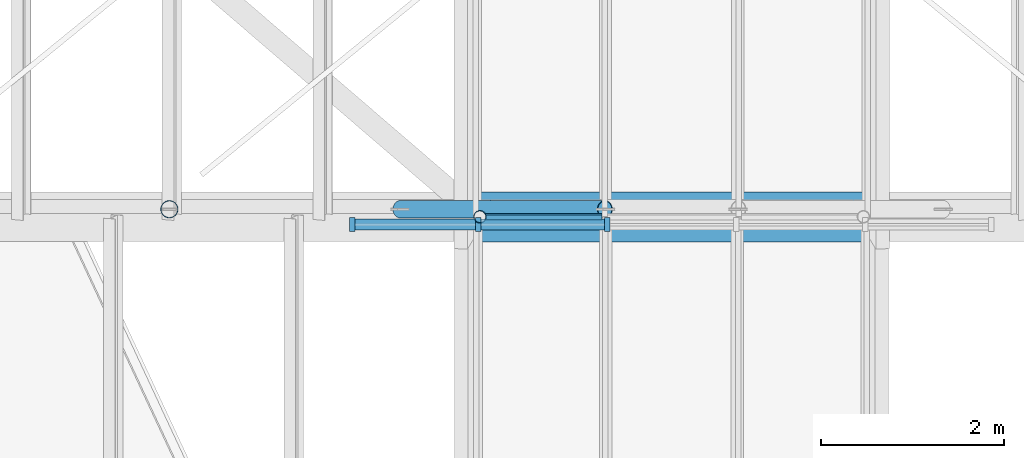
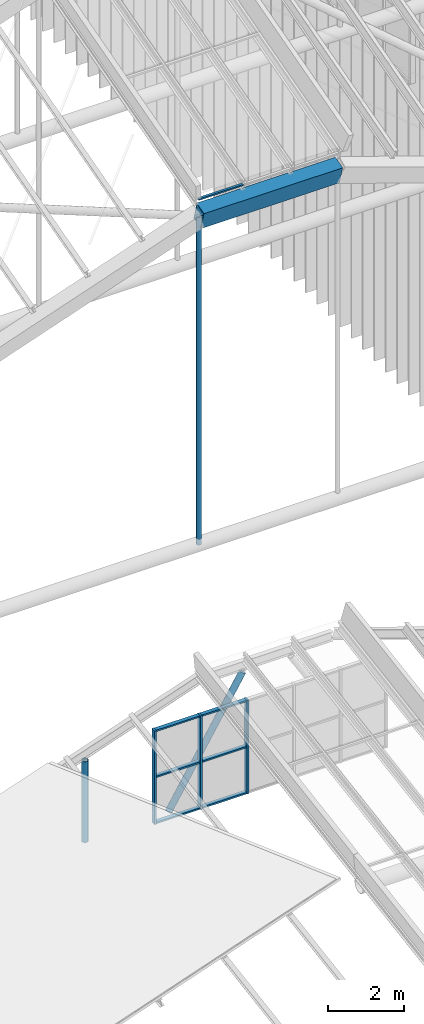
# One storey, part 17 of 126: 13 members, 1 beam, 1 element without a shape of its own.
"""IFC4 building model written with IfcOpenShell, lengths in metres."""

from ifc_helpers import new_model, si_unit, direction, frame, origin, origin_2d, place, context, subcontext, project, spatial, polyline, rectangle, hollow_circle, outline, extrude, material, material_profile, profile_set, type_object, element, aggregate, save


model = new_model("IFC4")

# Units and contexts
model_context = context("Model", 3, precision=1e-05, world=origin(), true_north=direction((0.0, 1.0)))
body_context = subcontext(model_context, "Body", "Model", "MODEL_VIEW")
ifc_project = project(units=[si_unit("LENGTHUNIT", "METRE"), si_unit("AREAUNIT", "SQUARE_METRE"), si_unit("VOLUMEUNIT", "CUBIC_METRE"), si_unit("PLANEANGLEUNIT", "RADIAN"), si_unit("MASSUNIT", "GRAM", prefix="KILO")], contexts=[model_context])

# Site, building, storey
site_placement = place(None, origin())
site = spatial("IfcSite", under=ifc_project, at=site_placement, CompositionType="ELEMENT")
building_placement = place(site_placement, origin())
building = spatial("IfcBuilding", under=site, at=building_placement, Name="Sava Quay Ferry Terminal", CompositionType="ELEMENT")
storey_placement = place(building_placement, frame((0.0, 0.0, 15.0)))
storey = spatial("IfcBuildingStorey", under=building, at=storey_placement, Name="L03", CompositionType="ELEMENT", Elevation=15.0)

# Beam
ifc_material_1 = material(Name="Steel S355", Category="steel")
ifc_material_profile_1 = material_profile(ifc_material_1, outline(polyline([(-0.199951171875, -0.300048828125), (0.199951171875, -0.300048828125), (0.199951171875, 0.300048828125), (-0.199951171875, 0.300048828125), (-0.199951171875, -0.300048828125)]), holes=[polyline([(-0.175048828125, -0.27490234375), (-0.175048828125, 0.27490234375), (0.175048828125, 0.27490234375), (0.175048828125, -0.27490234375), (-0.175048828125, -0.27490234375)])]), Name="Box 600x400x25 built-up")
ifc_profile_set_1 = profile_set([ifc_material_profile_1], Name="Steel S355")
beam_type = type_object("IfcBeamType", Name="D folded rib Box 600x400x25", PredefinedType="BEAM", material=ifc_profile_set_1)
beam_placement = place(storey_placement, frame((60.89990234375, 50.39990234375, 18.897216796875), z_axis=(1.0, 0.0, 0.0), x_axis=(0.0, 0.962815070048, 0.270161323822)))
element("IfcBeam", 1, at=beam_placement, inside=storey, type_object=beam_type, Name="Departure hall folded rib R0 seg 3", PredefinedType="BEAM", context=body_context, shape_type="SweptSolid", body=[
    extrude(outline(polyline([(-0.199951171875, -0.300048828125), (0.199951171875, -0.300048828125), (0.199951171875, 0.300048828125), (-0.199951171875, 0.300048828125), (-0.199951171875, -0.300048828125)]), holes=[polyline([(-0.175048828125, -0.27490234375), (-0.175048828125, 0.27490234375), (0.175048828125, 0.27490234375), (0.175048828125, -0.27490234375), (-0.175048828125, -0.27490234375)])]), origin(), (0.0, 0.0, 1.0), 4.2001953125),
])

# Members
ifc_material_2 = material(Name="Steel S355", Category="steel")
ifc_material_profile_2 = material_profile(ifc_material_2, hollow_circle(Radius=0.096923828125, WallThickness=0.008056640625, at=origin_2d()), Name="CHS 193.7 x 8.0")
ifc_profile_set_2 = profile_set([ifc_material_profile_2], Name="Steel S355")
member_type_1 = type_object("IfcMemberType", Name="Gable truss strut CHS 193.7x8", PredefinedType="USERDEFINED", material=ifc_profile_set_2)
member_1_placement = place(storey_placement, frame((60.030517578125, 50.482421875, 0.084716796875), z_axis=(0.518355579088, 0.0, 0.855165184996), x_axis=(0.0, 1.0, 0.0)))
element("IfcMember", 2, at=member_1_placement, inside=storey, type_object=member_type_1, Name="Arrivals hall gable truss strut", ObjectType="TRUSS STRUT", PredefinedType="USERDEFINED", context=body_context, shape_type="SweptSolid", body=[
    extrude(hollow_circle(Radius=0.096923828125, WallThickness=0.008056640625, at=origin_2d()), origin(), (0.0, 0.0, 1.0), 4.3193359375),
])
member_2_placement = place(storey_placement, frame((57.5, 50.482421875, 0.034423828125), z_axis=(0.0, 0.0, 1.0), x_axis=(1.0, 0.0, 0.0)))
element("IfcMember", 3, at=member_2_placement, inside=storey, type_object=member_type_1, Name="Arrivals hall gable truss post", ObjectType="TRUSS STRUT", PredefinedType="USERDEFINED", context=body_context, shape_type="SweptSolid", body=[
    extrude(hollow_circle(Radius=0.096923828125, WallThickness=0.008056640625, at=origin_2d()), origin(), (0.0, 0.0, 1.0), 2.59375),
])
ifc_material_3 = material(Name="Aluminium EN AW-6063 T6", Category="aluminium")
ifc_material_profile_3 = material_profile(ifc_material_3, rectangle(XDim=0.06005859375, YDim=0.06005859375, at=origin_2d()), Name="Bar 60 x 60")
ifc_profile_set_3 = profile_set([ifc_material_profile_3], Name="Aluminium EN AW-6063 T6")
member_type_2 = type_object("IfcMemberType", Name="Glazing bar 60x60", PredefinedType="USERDEFINED", material=ifc_profile_set_3)
member_3_placement = place(storey_placement, frame((60.880859375, 50.39990234375, 19.442138671875), z_axis=(1.0, 0.0, 0.0), x_axis=(0.0, 0.962815070048, 0.270161323822)))
element("IfcMember", 4, at=member_3_placement, inside=storey, type_object=member_type_2, Name="Departure hall glazing bar D-R0-GT2.0", ObjectType="GLAZING BAR", PredefinedType="USERDEFINED", context=body_context, shape_type="SweptSolid", body=[
    extrude(rectangle(XDim=0.06005859375, YDim=0.06005859375, at=origin_2d()), origin(), (0.0, 0.0, 1.0), 1.35595703125),
])

# Curtain wall, members
ifc_material_4 = material(Name="Aluminium and glass curtain wall, double low-e glazed", Category="aluminium")
curtain_wall_type = type_object("IfcCurtainWallType", Name="Curtain wall CW-G gable", PredefinedType="NOTDEFINED", material=ifc_material_4)
curtain_wall_placement = place(storey_placement, origin())
curtain_wall = element("IfcCurtainWall", 5, at=curtain_wall_placement, inside=storey, type_object=curtain_wall_type, Name="Curtain wall D-S L03 bay 31", PredefinedType="NOTDEFINED")
ifc_material_5 = material(Name="Aluminium EN AW-6063 T6", Category="aluminium")
ifc_material_profile_4 = material_profile(ifc_material_5, rectangle(XDim=0.14990234375, YDim=0.06005859375, at=origin_2d()), Name="Mullion 60x150 aluminium")
ifc_profile_set_4 = profile_set([ifc_material_profile_4], Name="Aluminium EN AW-6063 T6")
member_type_3 = type_object("IfcMemberType", Name="Mullion 60x150 aluminium", PredefinedType="MULLION", material=ifc_profile_set_4)
member_4_placement = place(storey_placement, frame((59.5, 50.31494140625, 0.0), z_axis=(0.0, 0.0, 1.0), x_axis=(0.0, 1.0, 0.0)))
member_4 = element("IfcMember", 6, at=member_4_placement, type_object=member_type_3, Name="CW92 mullion 1", PredefinedType="MULLION", context=body_context, shape_type="SweptSolid", body=[
    extrude(rectangle(XDim=0.14990234375, YDim=0.06005859375, at=origin_2d()), origin(), (0.0, 0.0, 1.0), 3.0),
])
member_5_placement = place(storey_placement, frame((60.882080078125, 50.31494140625, 0.0), z_axis=(0.0, 0.0, 1.0), x_axis=(0.0, 1.0, 0.0)))
member_5 = element("IfcMember", 7, at=member_5_placement, type_object=member_type_3, Name="CW92 mullion 2", PredefinedType="MULLION", context=body_context, shape_type="SweptSolid", body=[
    extrude(rectangle(XDim=0.14990234375, YDim=0.06005859375, at=origin_2d()), origin(), (0.0, 0.0, 1.0), 3.0),
])
member_6_placement = place(storey_placement, frame((62.2939453125, 50.31494140625, 0.0), z_axis=(0.0, 0.0, 1.0), x_axis=(0.0, 1.0, 0.0)))
member_6 = element("IfcMember", 8, at=member_6_placement, type_object=member_type_3, Name="CW92 mullion 3", PredefinedType="MULLION", context=body_context, shape_type="SweptSolid", body=[
    extrude(rectangle(XDim=0.14990234375, YDim=0.06005859375, at=origin_2d()), origin(), (0.0, 0.0, 1.0), 3.0),
])

# Member
ifc_material_6 = material(Name="Steel S355", Category="steel")
ifc_material_profile_5 = material_profile(ifc_material_6, hollow_circle(Radius=0.06982421875, WallThickness=0.008056640625, at=origin_2d()), Name="CHS 139.7 x 8.0")
ifc_profile_set_5 = profile_set([ifc_material_profile_5], Name="Steel S355")
member_type_4 = type_object("IfcMemberType", Name="Tie hanger CHS 139.7x8", PredefinedType="USERDEFINED", material=ifc_profile_set_5)
member_7_placement = place(storey_placement, frame((60.89990234375, 50.39990234375, 8.39990234375), z_axis=(0.0, 0.0, 1.0), x_axis=(1.0, 0.0, 0.0)))
element("IfcMember", 9, at=member_7_placement, inside=storey, type_object=member_type_4, Name="Departure hall tie hanger R0 V2", ObjectType="TIE HANGER", PredefinedType="USERDEFINED", context=body_context, shape_type="SweptSolid", body=[
    extrude(hollow_circle(Radius=0.06982421875, WallThickness=0.008056640625, at=origin_2d()), origin(), (0.0, 0.0, 1.0), 10.497314453125),
])

ifc_material_7 = material(Name="Aluminium EN AW-6063 T6", Category="aluminium")
ifc_material_profile_6 = material_profile(ifc_material_7, rectangle(XDim=0.1201171875, YDim=0.050048828125, at=origin_2d()), Name="Transom 50x120 aluminium")
ifc_profile_set_6 = profile_set([ifc_material_profile_6], Name="Aluminium EN AW-6063 T6")
member_type_5 = type_object("IfcMemberType", Name="Transom 50x120 aluminium", PredefinedType="USERDEFINED", material=ifc_profile_set_6)
member_8_placement = place(storey_placement, frame((59.530029296875, 50.31494140625, 0.02490234375), z_axis=(1.0, 0.0, 0.0), x_axis=(0.0, 1.0, 0.0)))
member_8 = element("IfcMember", 10, at=member_8_placement, type_object=member_type_5, Name="CW92 transom 1.1", ObjectType="TRANSOM", PredefinedType="USERDEFINED", context=body_context, shape_type="SweptSolid", body=[
    extrude(rectangle(XDim=0.1201171875, YDim=0.050048828125, at=origin_2d()), origin(), (0.0, 0.0, 1.0), 1.322021484375),
])

member_9_placement = place(storey_placement, frame((59.530029296875, 50.31494140625, 1.5), z_axis=(1.0, 0.0, 0.0), x_axis=(0.0, 1.0, 0.0)))
member_9 = element("IfcMember", 11, at=member_9_placement, type_object=member_type_5, Name="CW92 transom 1.2", ObjectType="TRANSOM", PredefinedType="USERDEFINED", context=body_context, shape_type="SweptSolid", body=[
    extrude(rectangle(XDim=0.1201171875, YDim=0.050048828125, at=origin_2d()), origin(), (0.0, 0.0, 1.0), 1.322021484375),
])

member_10_placement = place(storey_placement, frame((59.530029296875, 50.31494140625, 2.97509765625), z_axis=(1.0, 0.0, 0.0), x_axis=(0.0, 1.0, 0.0)))
member_10 = element("IfcMember", 12, at=member_10_placement, type_object=member_type_5, Name="CW92 transom 1.3", ObjectType="TRANSOM", PredefinedType="USERDEFINED", context=body_context, shape_type="SweptSolid", body=[
    extrude(rectangle(XDim=0.1201171875, YDim=0.050048828125, at=origin_2d()), origin(), (0.0, 0.0, 1.0), 1.322021484375),
])

member_11_placement = place(storey_placement, frame((60.912109375, 50.31494140625, 0.02490234375), z_axis=(1.0, 0.0, 0.0), x_axis=(0.0, 1.0, 0.0)))
member_11 = element("IfcMember", 13, at=member_11_placement, type_object=member_type_5, Name="CW92 transom 2.1", ObjectType="TRANSOM", PredefinedType="USERDEFINED", context=body_context, shape_type="SweptSolid", body=[
    extrude(rectangle(XDim=0.1201171875, YDim=0.050048828125, at=origin_2d()), origin(), (0.0, 0.0, 1.0), 1.351806640625),
])

member_12_placement = place(storey_placement, frame((60.912109375, 50.31494140625, 1.5), z_axis=(1.0, 0.0, 0.0), x_axis=(0.0, 1.0, 0.0)))
member_12 = element("IfcMember", 14, at=member_12_placement, type_object=member_type_5, Name="CW92 transom 2.2", ObjectType="TRANSOM", PredefinedType="USERDEFINED", context=body_context, shape_type="SweptSolid", body=[
    extrude(rectangle(XDim=0.1201171875, YDim=0.050048828125, at=origin_2d()), origin(), (0.0, 0.0, 1.0), 1.351806640625),
])

member_13_placement = place(storey_placement, frame((60.912109375, 50.31494140625, 2.97509765625), z_axis=(1.0, 0.0, 0.0), x_axis=(0.0, 1.0, 0.0)))
member_13 = element("IfcMember", 15, at=member_13_placement, type_object=member_type_5, Name="CW92 transom 2.3", ObjectType="TRANSOM", PredefinedType="USERDEFINED", context=body_context, shape_type="SweptSolid", body=[
    extrude(rectangle(XDim=0.1201171875, YDim=0.050048828125, at=origin_2d()), origin(), (0.0, 0.0, 1.0), 1.351806640625),
])

aggregate(curtain_wall, [member_4, member_5, member_6, member_8, member_9, member_10, member_11, member_12, member_13])

save(model, "model.ifc")
